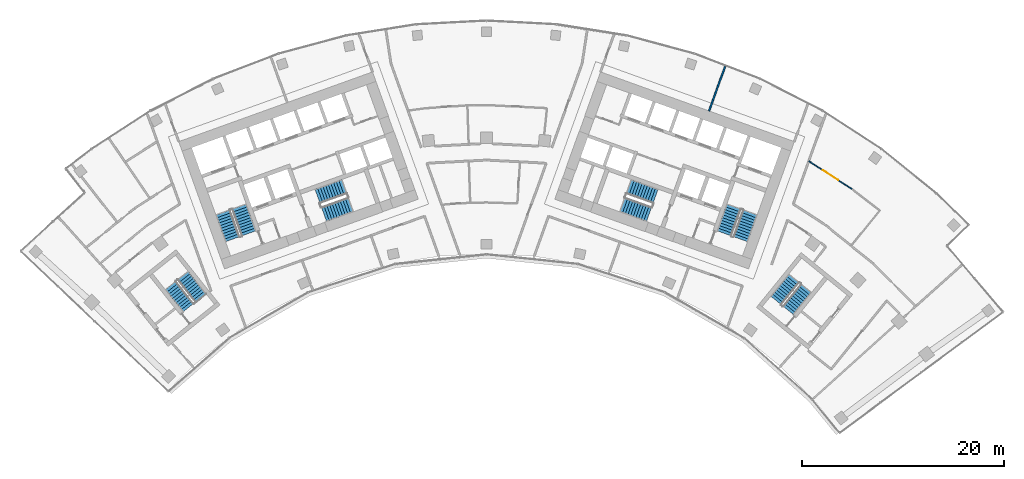
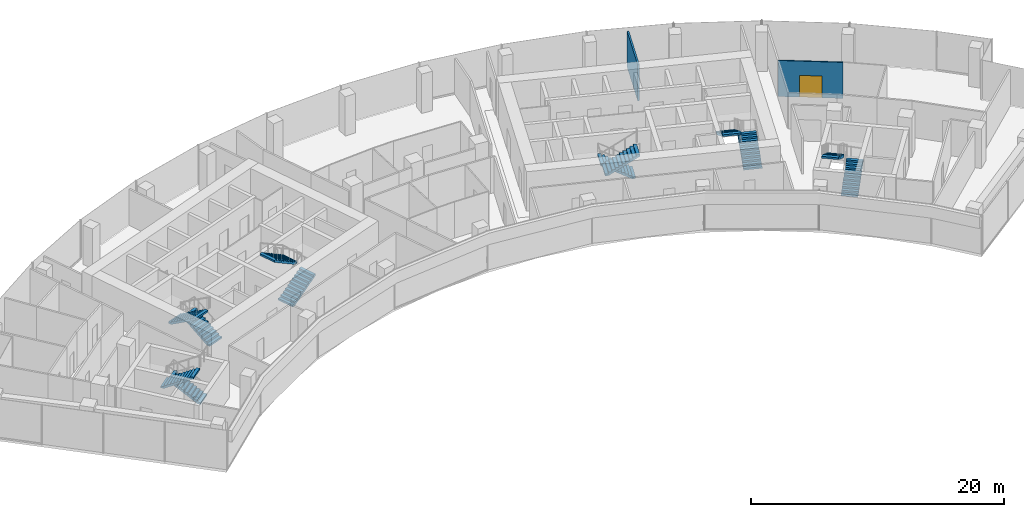
# One storey, part 17 of 19: 12 stair flights, 2 walls, 1 door, 1 opening, 6 elements without a shape of their own.
"""IFC4 building model written with IfcOpenShell, lengths in metres."""

from ifc_helpers import new_model, si_unit, direction, frame, frame_2d, origin, place, context, subcontext, project, spatial, polyline, rectangle, outline, extrude, material, layer, layer_set, type_object, element, fill, aggregate, save


model = new_model("IFC4")

# Units and contexts
model_context = context("Model", 3, precision=1e-05, world=origin(), true_north=direction((0.0, 1.0)))
body_context = subcontext(model_context, "Body", "Model", "MODEL_VIEW")
ifc_project = project(units=[si_unit("LENGTHUNIT", "METRE"), si_unit("AREAUNIT", "SQUARE_METRE"), si_unit("VOLUMEUNIT", "CUBIC_METRE"), si_unit("PLANEANGLEUNIT", "RADIAN"), si_unit("MASSUNIT", "GRAM", prefix="KILO")], contexts=[model_context])

# Site, building, storey
site_placement = place(None, origin())
site = spatial("IfcSite", under=ifc_project, at=site_placement, CompositionType="ELEMENT")
building_placement = place(site_placement, origin())
building = spatial("IfcBuilding", under=site, at=building_placement, Name="Stone Belt Terrace Tower", CompositionType="ELEMENT")
storey_placement = place(building_placement, frame((0.0, 0.0, 208.60009765625)))
storey = spatial("IfcBuildingStorey", under=building, at=storey_placement, Name="L50", CompositionType="ELEMENT", Elevation=208.60009765625)

# Wall, opening, door
ifc_material_1 = material(Name="Gypsum board partition")
ifc_layer_1 = layer(ifc_material_1, 0.10009765625)
ifc_layer_set_1 = layer_set([ifc_layer_1], Name="PARTITION 100")
wall_type_1 = type_object("IfcWallType", Name="PARTITION 100", PredefinedType="PARTITIONING", material=ifc_layer_set_1)
wall_1_placement = place(storey_placement, frame((36.235107421875, 49.873046875, 0.0), z_axis=(0.0, 0.0, 1.0), x_axis=(-0.838688720145, 0.54461108206, 0.0)))
wall_1 = element("IfcWall", 1, at=wall_1_placement, inside=storey, type_object=wall_type_1, Name="L50/wall/i071", PredefinedType="PARTITIONING", context=body_context, shape_type="SweptSolid", body=[
    extrude(rectangle(XDim=5.141357421875, YDim=0.10009765625, at=frame_2d((2.57080078125, 0.0))), origin(), (0.0, 0.0, 1.0), 3.47998046875),
])
opening_placement = place(wall_1_placement, frame((1.670654296875, 0.0, 0.0)))
opening = element("IfcOpeningElement", 2, at=opening_placement, cuts=wall_1, Name="Opening D-D2-21", PredefinedType="OPENING", context=body_context, shape_type="SweptSolid", body=[
    extrude(rectangle(XDim=1.800048828125, YDim=2.10009765625, at=frame_2d((0.89990234375, 1.050048828125))), frame((0.0, 0.06005859375, 0.0), z_axis=(0.0, -1.0, 0.0), x_axis=(1.0, 0.0, 0.0)), (0.0, 0.0, 1.0), 0.1201171875),
])
ifc_material_2 = material(Name="Timber door leaf", Category="wood")
door_type = type_object("IfcDoorType", Name="DOUBLE DOOR 1800 X 2100", OperationType="DOUBLE_DOOR_SINGLE_SWING", PredefinedType="DOOR", material=ifc_material_2)
door_placement = place(opening_placement, origin())
door = element("IfcDoor", 3, at=door_placement, inside=storey, type_object=door_type, Name="L50/door/i21", OperationType="DOUBLE_DOOR_SINGLE_SWING", OverallHeight=2.10009765625, OverallWidth=1.800048828125, PredefinedType="DOOR", context=body_context, shape_type="SweptSolid", body=[
    extrude(rectangle(XDim=1.800048828125, YDim=2.10009765625, at=frame_2d((0.89990234375, 1.050048828125))), frame((0.0, 0.02490234375, 0.0), z_axis=(0.0, -1.0, 0.0), x_axis=(1.0, 0.0, 0.0)), (0.0, 0.0, 1.0), 0.050048828125),
])
fill(opening, door)

# Wall
ifc_layer_2 = layer(ifc_material_1, 0.14990234375)
ifc_layer_set_2 = layer_set([ifc_layer_2], Name="PARTITION 150 EI 60")
wall_type_2 = type_object("IfcWallType", Name="PARTITION 150 EI 60", PredefinedType="PARTITIONING", material=ifc_layer_set_2)
wall_2_placement = place(storey_placement, frame((23.636962890625, 62.06005859375, 0.0), z_axis=(0.0, 0.0, 1.0), x_axis=(-0.338682662698, -0.940900661063, 0.0)))
element("IfcWall", 4, at=wall_2_placement, inside=storey, type_object=wall_type_2, Name="L50/wall/i038", PredefinedType="PARTITIONING", context=body_context, shape_type="SweptSolid", body=[
    extrude(rectangle(XDim=4.69775390625, YDim=0.14990234375, at=frame_2d((2.348876953125, 0.0))), origin(), (0.0, 0.0, 1.0), 3.47998046875),
])

# Stair, stair flights
ifc_material_3 = material(Name="Concrete B40", Category="concrete")
stair_type = type_object("IfcStairType", Name="Exit stair 1500", PredefinedType="HALF_TURN_STAIR", material=ifc_material_3)
stair_1_placement = place(storey_placement, origin())
stair_1 = element("IfcStair", 5, at=stair_1_placement, inside=storey, type_object=stair_type, Name="L50 Exit stair 1 core A", PredefinedType="HALF_TURN_STAIR")
stair_flight_type = type_object("IfcStairFlightType", Name="Stair flight 1500", PredefinedType="STRAIGHT", material=ifc_material_3)
stair_flight_1_placement = place(storey_placement, frame((-23.55322265625, 45.51318359375, 0.0), z_axis=(0.0, 0.0, 1.0), x_axis=(-0.338624396177, 0.940921632398, 0.0)))
stair_flight_1 = element("IfcStairFlight", 6, at=stair_flight_1_placement, type_object=stair_flight_type, Name="ST1A flight 1", NumberOfRisers=11, NumberOfTreads=10, PredefinedType="STRAIGHT", RiserHeight=0.172727273, TreadLength=0.28, context=body_context, shape_type="SweptSolid", body=[
    extrude(outline(polyline([(0.0, 0.0), (0.0, 0.172607421875), (0.280029296875, 0.172607421875), (0.280029296875, 0.345458984375), (0.56005859375, 0.345458984375), (0.56005859375, 0.51806640625), (0.840087890625, 0.51806640625), (0.840087890625, 0.69091796875), (1.1201171875, 0.69091796875), (1.1201171875, 0.863525390625), (1.39990234375, 0.863525390625), (1.39990234375, 1.036376953125), (1.679931640625, 1.036376953125), (1.679931640625, 1.208984375), (1.9599609375, 1.208984375), (1.9599609375, 1.3818359375), (2.239990234375, 1.3818359375), (2.239990234375, 1.554443359375), (2.52001953125, 1.554443359375), (2.52001953125, 1.727294921875), (2.800048828125, 1.727294921875), (2.800048828125, 1.89990234375), (2.800048828125, 1.551025390625), (0.285400390625, 0.0), (0.0, 0.0)])), frame((0.0, 0.75, 0.0), z_axis=(0.0, -1.0, 0.0), x_axis=(1.0, 0.0, 0.0)), (0.0, 0.0, 1.0), 1.5),
])
stair_flight_2_placement = place(storey_placement, frame((-26.10107421875, 47.572021484375, 1.89990234375), z_axis=(0.0, 0.0, 1.0), x_axis=(0.338624396177, -0.940921632398, 0.0)))
stair_flight_2 = element("IfcStairFlight", 7, at=stair_flight_2_placement, type_object=stair_flight_type, Name="ST1A flight 2", NumberOfRisers=11, NumberOfTreads=10, PredefinedType="STRAIGHT", RiserHeight=0.172727273, TreadLength=0.28, context=body_context, shape_type="SweptSolid", body=[
    extrude(outline(polyline([(0.0, 0.0), (0.0, 0.172607421875), (0.280029296875, 0.172607421875), (0.280029296875, 0.345458984375), (0.56005859375, 0.345458984375), (0.56005859375, 0.51806640625), (0.840087890625, 0.51806640625), (0.840087890625, 0.69091796875), (1.1201171875, 0.69091796875), (1.1201171875, 0.863525390625), (1.39990234375, 0.863525390625), (1.39990234375, 1.036376953125), (1.679931640625, 1.036376953125), (1.679931640625, 1.208984375), (1.9599609375, 1.208984375), (1.9599609375, 1.3818359375), (2.239990234375, 1.3818359375), (2.239990234375, 1.554443359375), (2.52001953125, 1.554443359375), (2.52001953125, 1.727294921875), (2.800048828125, 1.727294921875), (2.800048828125, 1.89990234375), (2.800048828125, 1.551025390625), (0.285400390625, 0.0), (0.0, 0.0)])), frame((0.0, 0.75, 0.0), z_axis=(0.0, -1.0, 0.0), x_axis=(1.0, 0.0, 0.0)), (0.0, 0.0, 1.0), 1.5),
])
aggregate(stair_1, [stair_flight_1, stair_flight_2])

stair_2_placement = place(storey_placement, origin())
stair_2 = element("IfcStair", 8, at=stair_2_placement, inside=storey, type_object=stair_type, Name="L50 Exit stair 2 core A", PredefinedType="HALF_TURN_STAIR")
stair_flight_3_placement = place(storey_placement, frame((-16.101318359375, 47.39794921875, 0.0), z_axis=(0.0, 0.0, 1.0), x_axis=(0.940921632398, 0.338624396177, 0.0)))
stair_flight_3 = element("IfcStairFlight", 9, at=stair_flight_3_placement, type_object=stair_flight_type, Name="ST2A flight 1", NumberOfRisers=11, NumberOfTreads=10, PredefinedType="STRAIGHT", RiserHeight=0.172727273, TreadLength=0.28, context=body_context, shape_type="SweptSolid", body=[
    extrude(outline(polyline([(0.0, 0.0), (0.0, 0.172607421875), (0.280029296875, 0.172607421875), (0.280029296875, 0.345458984375), (0.56005859375, 0.345458984375), (0.56005859375, 0.51806640625), (0.840087890625, 0.51806640625), (0.840087890625, 0.69091796875), (1.1201171875, 0.69091796875), (1.1201171875, 0.863525390625), (1.39990234375, 0.863525390625), (1.39990234375, 1.036376953125), (1.679931640625, 1.036376953125), (1.679931640625, 1.208984375), (1.9599609375, 1.208984375), (1.9599609375, 1.3818359375), (2.239990234375, 1.3818359375), (2.239990234375, 1.554443359375), (2.52001953125, 1.554443359375), (2.52001953125, 1.727294921875), (2.800048828125, 1.727294921875), (2.800048828125, 1.89990234375), (2.800048828125, 1.551025390625), (0.285400390625, 0.0), (0.0, 0.0)])), frame((0.0, 0.75, 0.0), z_axis=(0.0, -1.0, 0.0), x_axis=(1.0, 0.0, 0.0)), (0.0, 0.0, 1.0), 1.5),
])
stair_flight_4_placement = place(storey_placement, frame((-14.110107421875, 50.1337890625, 1.89990234375), z_axis=(0.0, 0.0, 1.0), x_axis=(-0.940921632398, -0.338624396177, 0.0)))
stair_flight_4 = element("IfcStairFlight", 10, at=stair_flight_4_placement, type_object=stair_flight_type, Name="ST2A flight 2", NumberOfRisers=11, NumberOfTreads=10, PredefinedType="STRAIGHT", RiserHeight=0.172727273, TreadLength=0.28, context=body_context, shape_type="SweptSolid", body=[
    extrude(outline(polyline([(0.0, 0.0), (0.0, 0.172607421875), (0.280029296875, 0.172607421875), (0.280029296875, 0.345458984375), (0.56005859375, 0.345458984375), (0.56005859375, 0.51806640625), (0.840087890625, 0.51806640625), (0.840087890625, 0.69091796875), (1.1201171875, 0.69091796875), (1.1201171875, 0.863525390625), (1.39990234375, 0.863525390625), (1.39990234375, 1.036376953125), (1.679931640625, 1.036376953125), (1.679931640625, 1.208984375), (1.9599609375, 1.208984375), (1.9599609375, 1.3818359375), (2.239990234375, 1.3818359375), (2.239990234375, 1.554443359375), (2.52001953125, 1.554443359375), (2.52001953125, 1.727294921875), (2.800048828125, 1.727294921875), (2.800048828125, 1.89990234375), (2.800048828125, 1.551025390625), (0.285400390625, 0.0), (0.0, 0.0)])), frame((0.0, 0.75, 0.0), z_axis=(0.0, -1.0, 0.0), x_axis=(1.0, 0.0, 0.0)), (0.0, 0.0, 1.0), 1.5),
])
aggregate(stair_2, [stair_flight_3, stair_flight_4])

stair_3_placement = place(storey_placement, origin())
stair_3 = element("IfcStair", 11, at=stair_3_placement, inside=storey, type_object=stair_type, Name="L50 Exit stair 1 core B", PredefinedType="HALF_TURN_STAIR")
stair_flight_5_placement = place(storey_placement, frame((25.15283203125, 44.9375, 0.0), z_axis=(0.0, 0.0, 1.0), x_axis=(0.338624396177, 0.940921632398, 0.0)))
stair_flight_5 = element("IfcStairFlight", 12, at=stair_flight_5_placement, type_object=stair_flight_type, Name="ST1B flight 1", NumberOfRisers=11, NumberOfTreads=10, PredefinedType="STRAIGHT", RiserHeight=0.172727273, TreadLength=0.28, context=body_context, shape_type="SweptSolid", body=[
    extrude(outline(polyline([(0.0, 0.0), (0.0, 0.172607421875), (0.280029296875, 0.172607421875), (0.280029296875, 0.345458984375), (0.56005859375, 0.345458984375), (0.56005859375, 0.51806640625), (0.840087890625, 0.51806640625), (0.840087890625, 0.69091796875), (1.1201171875, 0.69091796875), (1.1201171875, 0.863525390625), (1.39990234375, 0.863525390625), (1.39990234375, 1.036376953125), (1.679931640625, 1.036376953125), (1.679931640625, 1.208984375), (1.9599609375, 1.208984375), (1.9599609375, 1.3818359375), (2.239990234375, 1.3818359375), (2.239990234375, 1.554443359375), (2.52001953125, 1.554443359375), (2.52001953125, 1.727294921875), (2.800048828125, 1.727294921875), (2.800048828125, 1.89990234375), (2.800048828125, 1.551025390625), (0.285400390625, 0.0), (0.0, 0.0)])), frame((0.0, 0.75, 0.0), z_axis=(0.0, -1.0, 0.0), x_axis=(1.0, 0.0, 0.0)), (0.0, 0.0, 1.0), 1.5),
])
stair_flight_6_placement = place(storey_placement, frame((24.50146484375, 48.147705078125, 1.89990234375), z_axis=(0.0, 0.0, 1.0), x_axis=(-0.338624396177, -0.940921632398, 0.0)))
stair_flight_6 = element("IfcStairFlight", 13, at=stair_flight_6_placement, type_object=stair_flight_type, Name="ST1B flight 2", NumberOfRisers=11, NumberOfTreads=10, PredefinedType="STRAIGHT", RiserHeight=0.172727273, TreadLength=0.28, context=body_context, shape_type="SweptSolid", body=[
    extrude(outline(polyline([(0.0, 0.0), (0.0, 0.172607421875), (0.280029296875, 0.172607421875), (0.280029296875, 0.345458984375), (0.56005859375, 0.345458984375), (0.56005859375, 0.51806640625), (0.840087890625, 0.51806640625), (0.840087890625, 0.69091796875), (1.1201171875, 0.69091796875), (1.1201171875, 0.863525390625), (1.39990234375, 0.863525390625), (1.39990234375, 1.036376953125), (1.679931640625, 1.036376953125), (1.679931640625, 1.208984375), (1.9599609375, 1.208984375), (1.9599609375, 1.3818359375), (2.239990234375, 1.3818359375), (2.239990234375, 1.554443359375), (2.52001953125, 1.554443359375), (2.52001953125, 1.727294921875), (2.800048828125, 1.727294921875), (2.800048828125, 1.89990234375), (2.800048828125, 1.551025390625), (0.285400390625, 0.0), (0.0, 0.0)])), frame((0.0, 0.75, 0.0), z_axis=(0.0, -1.0, 0.0), x_axis=(1.0, 0.0, 0.0)), (0.0, 0.0, 1.0), 1.5),
])
aggregate(stair_3, [stair_flight_5, stair_flight_6])

stair_4_placement = place(storey_placement, origin())
stair_4 = element("IfcStair", 14, at=stair_4_placement, inside=storey, type_object=stair_type, Name="L50 Exit stair 2 core B", PredefinedType="HALF_TURN_STAIR")
stair_flight_7_placement = place(storey_placement, frame((16.74462890625, 49.185546875, 0.0), z_axis=(0.0, 0.0, 1.0), x_axis=(-0.940921632398, 0.338624396177, 0.0)))
stair_flight_7 = element("IfcStairFlight", 15, at=stair_flight_7_placement, type_object=stair_flight_type, Name="ST2B flight 1", NumberOfRisers=11, NumberOfTreads=10, PredefinedType="STRAIGHT", RiserHeight=0.172727273, TreadLength=0.28, context=body_context, shape_type="SweptSolid", body=[
    extrude(outline(polyline([(0.0, 0.0), (0.0, 0.172607421875), (0.280029296875, 0.172607421875), (0.280029296875, 0.345458984375), (0.56005859375, 0.345458984375), (0.56005859375, 0.51806640625), (0.840087890625, 0.51806640625), (0.840087890625, 0.69091796875), (1.1201171875, 0.69091796875), (1.1201171875, 0.863525390625), (1.39990234375, 0.863525390625), (1.39990234375, 1.036376953125), (1.679931640625, 1.036376953125), (1.679931640625, 1.208984375), (1.9599609375, 1.208984375), (1.9599609375, 1.3818359375), (2.239990234375, 1.3818359375), (2.239990234375, 1.554443359375), (2.52001953125, 1.554443359375), (2.52001953125, 1.727294921875), (2.800048828125, 1.727294921875), (2.800048828125, 1.89990234375), (2.800048828125, 1.551025390625), (0.285400390625, 0.0), (0.0, 0.0)])), frame((0.0, 0.75, 0.0), z_axis=(0.0, -1.0, 0.0), x_axis=(1.0, 0.0, 0.0)), (0.0, 0.0, 1.0), 1.5),
])
stair_flight_8_placement = place(storey_placement, frame((13.466796875, 48.345947265625, 1.89990234375), z_axis=(0.0, 0.0, 1.0), x_axis=(0.940921632398, -0.338624396177, 0.0)))
stair_flight_8 = element("IfcStairFlight", 16, at=stair_flight_8_placement, type_object=stair_flight_type, Name="ST2B flight 2", NumberOfRisers=11, NumberOfTreads=10, PredefinedType="STRAIGHT", RiserHeight=0.172727273, TreadLength=0.28, context=body_context, shape_type="SweptSolid", body=[
    extrude(outline(polyline([(0.0, 0.0), (0.0, 0.172607421875), (0.280029296875, 0.172607421875), (0.280029296875, 0.345458984375), (0.56005859375, 0.345458984375), (0.56005859375, 0.51806640625), (0.840087890625, 0.51806640625), (0.840087890625, 0.69091796875), (1.1201171875, 0.69091796875), (1.1201171875, 0.863525390625), (1.39990234375, 0.863525390625), (1.39990234375, 1.036376953125), (1.679931640625, 1.036376953125), (1.679931640625, 1.208984375), (1.9599609375, 1.208984375), (1.9599609375, 1.3818359375), (2.239990234375, 1.3818359375), (2.239990234375, 1.554443359375), (2.52001953125, 1.554443359375), (2.52001953125, 1.727294921875), (2.800048828125, 1.727294921875), (2.800048828125, 1.89990234375), (2.800048828125, 1.551025390625), (0.285400390625, 0.0), (0.0, 0.0)])), frame((0.0, 0.75, 0.0), z_axis=(0.0, -1.0, 0.0), x_axis=(1.0, 0.0, 0.0)), (0.0, 0.0, 1.0), 1.5),
])
aggregate(stair_4, [stair_flight_7, stair_flight_8])

stair_5_placement = place(storey_placement, origin())
stair_5 = element("IfcStair", 17, at=stair_5_placement, inside=storey, type_object=stair_type, Name="L50 Exit stair 3A", PredefinedType="HALF_TURN_STAIR")
stair_flight_9_placement = place(storey_placement, frame((-28.325439453125, 39.1240234375, 0.0), z_axis=(0.0, 0.0, 1.0), x_axis=(-0.623121363691, 0.782125160132, 0.0)))
stair_flight_9 = element("IfcStairFlight", 18, at=stair_flight_9_placement, type_object=stair_flight_type, Name="ST3A flight 1", NumberOfRisers=11, NumberOfTreads=10, PredefinedType="STRAIGHT", RiserHeight=0.172727273, TreadLength=0.28, context=body_context, shape_type="SweptSolid", body=[
    extrude(outline(polyline([(0.0, 0.0), (0.0, 0.172607421875), (0.280029296875, 0.172607421875), (0.280029296875, 0.345458984375), (0.56005859375, 0.345458984375), (0.56005859375, 0.51806640625), (0.840087890625, 0.51806640625), (0.840087890625, 0.69091796875), (1.1201171875, 0.69091796875), (1.1201171875, 0.863525390625), (1.39990234375, 0.863525390625), (1.39990234375, 1.036376953125), (1.679931640625, 1.036376953125), (1.679931640625, 1.208984375), (1.9599609375, 1.208984375), (1.9599609375, 1.3818359375), (2.239990234375, 1.3818359375), (2.239990234375, 1.554443359375), (2.52001953125, 1.554443359375), (2.52001953125, 1.727294921875), (2.800048828125, 1.727294921875), (2.800048828125, 1.89990234375), (2.800048828125, 1.551025390625), (0.285400390625, 0.0), (0.0, 0.0)])), frame((0.0, 0.675048828125, 0.0), z_axis=(0.0, -1.0, 0.0), x_axis=(1.0, 0.0, 0.0)), (0.0, 0.0, 1.0), 1.35009765625),
])
stair_flight_10_placement = place(storey_placement, frame((-31.282470703125, 40.34814453125, 1.89990234375), z_axis=(0.0, 0.0, 1.0), x_axis=(0.623121363691, -0.782125160132, 0.0)))
stair_flight_10 = element("IfcStairFlight", 19, at=stair_flight_10_placement, type_object=stair_flight_type, Name="ST3A flight 2", NumberOfRisers=11, NumberOfTreads=10, PredefinedType="STRAIGHT", RiserHeight=0.172727273, TreadLength=0.28, context=body_context, shape_type="SweptSolid", body=[
    extrude(outline(polyline([(0.0, 0.0), (0.0, 0.172607421875), (0.280029296875, 0.172607421875), (0.280029296875, 0.345458984375), (0.56005859375, 0.345458984375), (0.56005859375, 0.51806640625), (0.840087890625, 0.51806640625), (0.840087890625, 0.69091796875), (1.1201171875, 0.69091796875), (1.1201171875, 0.863525390625), (1.39990234375, 0.863525390625), (1.39990234375, 1.036376953125), (1.679931640625, 1.036376953125), (1.679931640625, 1.208984375), (1.9599609375, 1.208984375), (1.9599609375, 1.3818359375), (2.239990234375, 1.3818359375), (2.239990234375, 1.554443359375), (2.52001953125, 1.554443359375), (2.52001953125, 1.727294921875), (2.800048828125, 1.727294921875), (2.800048828125, 1.89990234375), (2.800048828125, 1.551025390625), (0.285400390625, 0.0), (0.0, 0.0)])), frame((0.0, 0.675048828125, 0.0), z_axis=(0.0, -1.0, 0.0), x_axis=(1.0, 0.0, 0.0)), (0.0, 0.0, 1.0), 1.35009765625),
])
aggregate(stair_5, [stair_flight_9, stair_flight_10])

stair_6_placement = place(storey_placement, origin())
stair_6 = element("IfcStair", 20, at=stair_6_placement, inside=storey, type_object=stair_type, Name="L50 Exit stair 3B", PredefinedType="HALF_TURN_STAIR")
stair_flight_11_placement = place(storey_placement, frame((29.88330078125, 37.887939453125, 0.0), z_axis=(0.0, 0.0, 1.0), x_axis=(0.630205749599, 0.776428176441, 0.0)))
stair_flight_11 = element("IfcStairFlight", 21, at=stair_flight_11_placement, type_object=stair_flight_type, Name="ST3B flight 1", NumberOfRisers=11, NumberOfTreads=10, PredefinedType="STRAIGHT", RiserHeight=0.172727273, TreadLength=0.28, context=body_context, shape_type="SweptSolid", body=[
    extrude(outline(polyline([(0.0, 0.0), (0.0, 0.172607421875), (0.280029296875, 0.172607421875), (0.280029296875, 0.345458984375), (0.56005859375, 0.345458984375), (0.56005859375, 0.51806640625), (0.840087890625, 0.51806640625), (0.840087890625, 0.69091796875), (1.1201171875, 0.69091796875), (1.1201171875, 0.863525390625), (1.39990234375, 0.863525390625), (1.39990234375, 1.036376953125), (1.679931640625, 1.036376953125), (1.679931640625, 1.208984375), (1.9599609375, 1.208984375), (1.9599609375, 1.3818359375), (2.239990234375, 1.3818359375), (2.239990234375, 1.554443359375), (2.52001953125, 1.554443359375), (2.52001953125, 1.727294921875), (2.800048828125, 1.727294921875), (2.800048828125, 1.89990234375), (2.800048828125, 1.551025390625), (0.285400390625, 0.0), (0.0, 0.0)])), frame((0.0, 0.675048828125, 0.0), z_axis=(0.0, -1.0, 0.0), x_axis=(1.0, 0.0, 0.0)), (0.0, 0.0, 1.0), 1.35009765625),
])
stair_flight_12_placement = place(storey_placement, frame((30.4443359375, 41.038818359375, 1.89990234375), z_axis=(0.0, 0.0, 1.0), x_axis=(-0.630205749599, -0.776428176441, 0.0)))
stair_flight_12 = element("IfcStairFlight", 22, at=stair_flight_12_placement, type_object=stair_flight_type, Name="ST3B flight 2", NumberOfRisers=11, NumberOfTreads=10, PredefinedType="STRAIGHT", RiserHeight=0.172727273, TreadLength=0.28, context=body_context, shape_type="SweptSolid", body=[
    extrude(outline(polyline([(0.0, 0.0), (0.0, 0.172607421875), (0.280029296875, 0.172607421875), (0.280029296875, 0.345458984375), (0.56005859375, 0.345458984375), (0.56005859375, 0.51806640625), (0.840087890625, 0.51806640625), (0.840087890625, 0.69091796875), (1.1201171875, 0.69091796875), (1.1201171875, 0.863525390625), (1.39990234375, 0.863525390625), (1.39990234375, 1.036376953125), (1.679931640625, 1.036376953125), (1.679931640625, 1.208984375), (1.9599609375, 1.208984375), (1.9599609375, 1.3818359375), (2.239990234375, 1.3818359375), (2.239990234375, 1.554443359375), (2.52001953125, 1.554443359375), (2.52001953125, 1.727294921875), (2.800048828125, 1.727294921875), (2.800048828125, 1.89990234375), (2.800048828125, 1.551025390625), (0.285400390625, 0.0), (0.0, 0.0)])), frame((0.0, 0.675048828125, 0.0), z_axis=(0.0, -1.0, 0.0), x_axis=(1.0, 0.0, 0.0)), (0.0, 0.0, 1.0), 1.35009765625),
])
aggregate(stair_6, [stair_flight_11, stair_flight_12])

save(model, "model.ifc")
